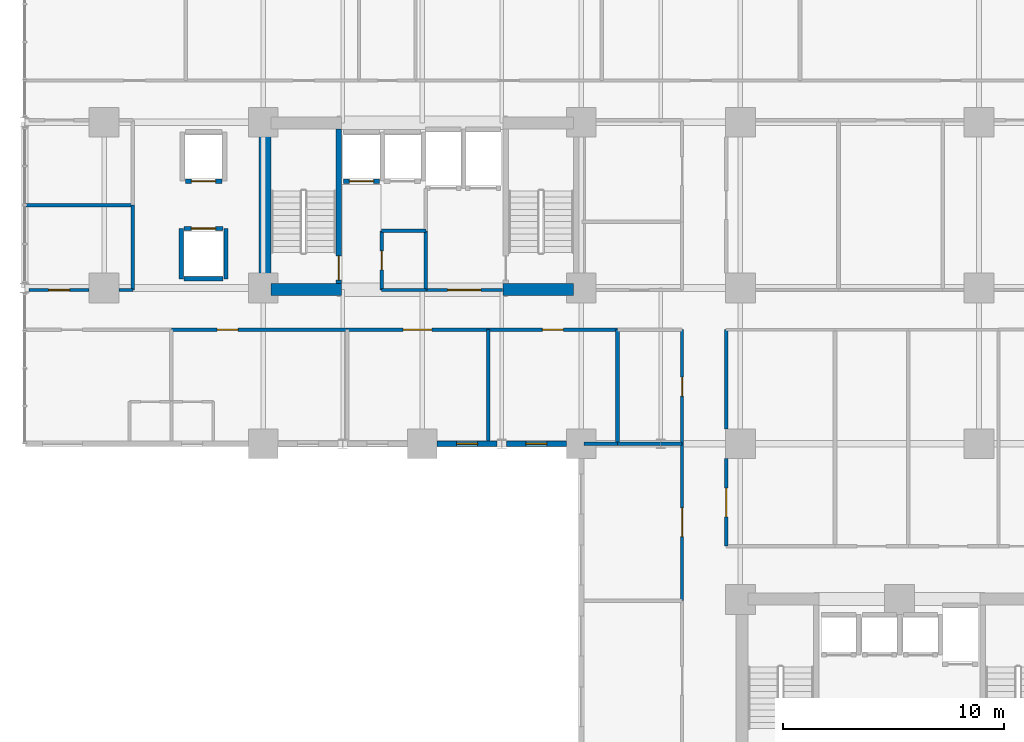
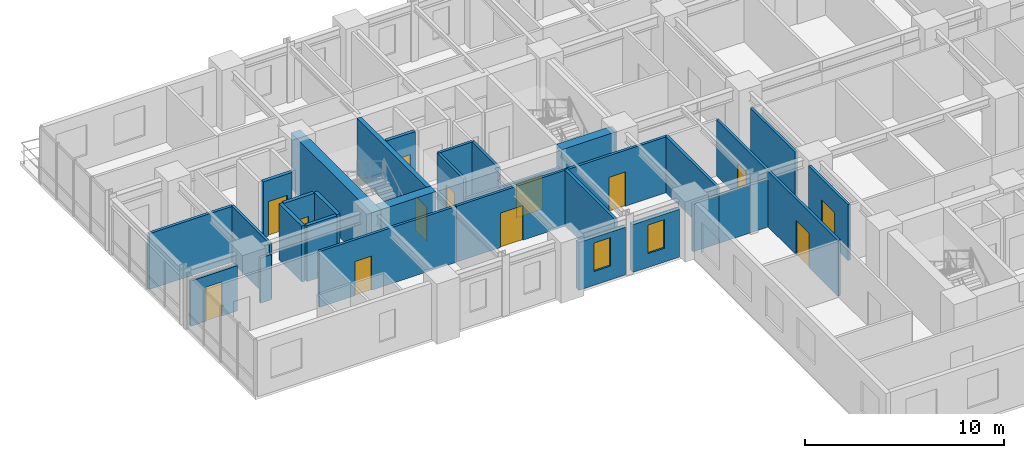
# One storey, part 11 of 19: 32 walls, 13 doors, 2 windows, 15 openings.
"""IFC4 building model written with IfcOpenShell, lengths in metres."""

from ifc_helpers import new_model, si_unit, direction, frame, frame_2d, origin, place, context, subcontext, project, spatial, rectangle, extrude, material, layer, layer_set, type_object, element, fill, save


model = new_model("IFC4")

# Units and contexts
model_context = context("Model", 3, precision=1e-05, world=origin(), true_north=direction((0.0, 1.0)))
body_context = subcontext(model_context, "Body", "Model", "MODEL_VIEW")
ifc_project = project(units=[si_unit("LENGTHUNIT", "METRE"), si_unit("AREAUNIT", "SQUARE_METRE"), si_unit("VOLUMEUNIT", "CUBIC_METRE"), si_unit("PLANEANGLEUNIT", "RADIAN"), si_unit("MASSUNIT", "GRAM", prefix="KILO")], contexts=[model_context])

# Site, building, storey
site_placement = place(None, origin())
site = spatial("IfcSite", under=ifc_project, at=site_placement, CompositionType="ELEMENT")
building_placement = place(site_placement, origin())
building = spatial("IfcBuilding", under=site, at=building_placement, Name="Kaliganga Portal Commons", CompositionType="ELEMENT")
storey_placement = place(building_placement, frame((0.0, 0.0, 32.699951171875)))
storey = spatial("IfcBuildingStorey", under=building, at=storey_placement, Name="L07", CompositionType="ELEMENT", Elevation=32.699951171875)

# Walls
ifc_material_1 = material(Name="Concrete C60/75", Category="concrete")
ifc_layer_1 = layer(ifc_material_1, 0.550048828125)
ifc_layer_set_1 = layer_set([ifc_layer_1], Name="Concrete C60/75")
wall_type_1 = type_object("IfcWallType", Name="WL-CORE-550", PredefinedType="SHEAR", material=ifc_layer_set_1)
wall_1_placement = place(storey_placement, frame((14.47509765625, 28.300048828125, 0.0), z_axis=(0.0, 0.0, 1.0), x_axis=(0.0, 1.0, 0.0)))
element("IfcWall", 1, at=wall_1_placement, inside=storey, type_object=wall_type_1, Name="Core A West Shear Wall L07", PredefinedType="SHEAR", context=body_context, shape_type="SweptSolid", body=[
    extrude(rectangle(XDim=8.099853515625, YDim=0.550048828125, at=frame_2d((4.0498046875, 0.0))), origin(), (0.0, 0.0, 1.0), 3.449951171875),
])
for number, where, z_axis, x_axis, name in (
    (2, (14.75, 28.574951171875, 0.0), (0.0, 0.0, 1.0), (1.0, 0.0, 0.0), "Core A S-West Shear Wall L07"),
    (3, (25.25, 28.574951171875, 0.0), (0.0, 0.0, 1.0), (1.0, 0.0, 0.0), "Core A S-East Shear Wall L07"),
):
    element("IfcWall", number, at=place(storey_placement, frame(where, z_axis=z_axis, x_axis=x_axis)), inside=storey, type_object=wall_type_1, Name=name, PredefinedType="SHEAR", context=body_context, shape_type="SweptSolid", body=[
        extrude(rectangle(XDim=3.199951171875, YDim=0.550048828125, at=frame_2d((1.60009765625, 0.0))), origin(), (0.0, 0.0, 1.0), 3.449951171875),
    ])

# Wall, opening, window
ifc_material_2 = material(Name="Insulated Aluminium-Clad Spandrel Assembly", Category="aluminium")
ifc_layer_2 = layer(ifc_material_2, 0.260009765625)
ifc_layer_set_2 = layer_set([ifc_layer_2], Name="Insulated Aluminium-Clad Spandrel Assembly")
wall_type_2 = type_object("IfcWallType", Name="WL-EXT-SPAND-260", PredefinedType="STANDARD", material=ifc_layer_set_2)
wall_2_placement = place(storey_placement, frame((24.990966796875, 21.60009765625, 0.0), z_axis=(0.0, 0.0, 1.0), x_axis=(-1.0, 0.0, 0.0)))
wall_2 = element("IfcWall", 4, at=wall_2_placement, inside=storey, type_object=wall_type_2, Name="Exterior Envelope Wall L07 P1-E04-S4", PredefinedType="STANDARD", context=body_context, shape_type="SweptSolid", body=[
    extrude(rectangle(XDim=2.715087890625, YDim=0.260009765625, at=frame_2d((1.357421875, 0.0))), origin(), (0.0, 0.0, 1.0), 2.929931640625),
])
opening_1_placement = place(wall_2_placement, frame((0.882568359375, 0.0, 0.85009765625)))
opening_1 = element("IfcOpeningElement", 5, at=opening_1_placement, cuts=wall_2, Name="Opening W-04", PredefinedType="OPENING", context=body_context, shape_type="SweptSolid", body=[
    extrude(rectangle(XDim=0.949951171875, YDim=1.75, at=frame_2d((0.47509765625, 0.875))), frame((0.0, 0.14013671875, 0.0), z_axis=(0.0, -1.0, 0.0), x_axis=(1.0, 0.0, 0.0)), (0.0, 0.0, 1.0), 0.280029296875),
])
ifc_material_3 = material(Name="Thermally Broken Aluminium and Low-E Double Glazing", Category="aluminium")
window_type = type_object("IfcWindowType", Name="WIN-NARROW-950", PartitioningType="SINGLE_PANEL", PredefinedType="WINDOW", material=ifc_material_3)
window_1_placement = place(opening_1_placement, origin())
window_1 = element("IfcWindow", 6, at=window_1_placement, inside=storey, type_object=window_type, Name="Facade Window L07-P1E04S4-00", OverallHeight=1.75, OverallWidth=0.949951171875, PartitioningType="SINGLE_PANEL", PredefinedType="WINDOW", context=body_context, shape_type="SweptSolid", body=[
    extrude(rectangle(XDim=0.949951171875, YDim=1.75, at=frame_2d((0.47509765625, 0.875))), frame((0.0, 0.030029296875, 0.0), z_axis=(0.0, -1.0, 0.0), x_axis=(1.0, 0.0, 0.0)), (0.0, 0.0, 1.0), 0.06005859375),
])
fill(opening_1, window_1)

wall_3_placement = place(storey_placement, frame((28.1240234375, 21.60009765625, 0.0), z_axis=(0.0, 0.0, 1.0), x_axis=(-1.0, 0.0, 0.0)))
wall_3 = element("IfcWall", 7, at=wall_3_placement, inside=storey, type_object=wall_type_2, Name="Exterior Envelope Wall L07 P1-E04-S5", PredefinedType="STANDARD", context=body_context, shape_type="SweptSolid", body=[
    extrude(rectangle(XDim=2.715087890625, YDim=0.260009765625, at=frame_2d((1.357421875, 0.0))), origin(), (0.0, 0.0, 1.0), 2.929931640625),
])
opening_2_placement = place(wall_3_placement, frame((0.882568359375, 0.0, 0.85009765625)))
opening_2 = element("IfcOpeningElement", 8, at=opening_2_placement, cuts=wall_3, Name="Opening W-04", PredefinedType="OPENING", context=body_context, shape_type="SweptSolid", body=[
    extrude(rectangle(XDim=0.949951171875, YDim=1.75, at=frame_2d((0.47509765625, 0.875))), frame((0.0, 0.14013671875, 0.0), z_axis=(0.0, -1.0, 0.0), x_axis=(1.0, 0.0, 0.0)), (0.0, 0.0, 1.0), 0.280029296875),
])
window_2_placement = place(opening_2_placement, origin())
window_2 = element("IfcWindow", 9, at=window_2_placement, inside=storey, type_object=window_type, Name="Facade Window L07-P1E04S5-00", OverallHeight=1.75, OverallWidth=0.949951171875, PartitioningType="SINGLE_PANEL", PredefinedType="WINDOW", context=body_context, shape_type="SweptSolid", body=[
    extrude(rectangle(XDim=0.949951171875, YDim=1.75, at=frame_2d((0.47509765625, 0.875))), frame((0.0, 0.030029296875, 0.0), z_axis=(0.0, -1.0, 0.0), x_axis=(1.0, 0.0, 0.0)), (0.0, 0.0, 1.0), 0.06005859375),
])
fill(opening_2, window_2)

# Wall, opening, door
ifc_material_4 = material(Name="Fire-Rated Gypsum Board on Steel Stud", Category="steel")
ifc_layer_3 = layer(ifc_material_4, 0.14990234375)
ifc_layer_set_3 = layer_set([ifc_layer_3], Name="Fire-Rated Gypsum Board on Steel Stud")
wall_type_3 = type_object("IfcWallType", Name="WL-PART-CORR-150", PredefinedType="PARTITIONING", material=ifc_layer_set_3)
wall_4_placement = place(storey_placement, frame((35.360107421875, 16.9599609375, 0.0), z_axis=(0.0, 0.0, 1.0), x_axis=(0.0, 1.0, 0.0)))
wall_4 = element("IfcWall", 10, at=wall_4_placement, inside=storey, type_object=wall_type_3, Name="Interior Partition L07-008", PredefinedType="PARTITIONING", context=body_context, shape_type="SweptSolid", body=[
    extrude(rectangle(XDim=3.965087890625, YDim=0.14990234375, at=frame_2d((1.982421875, 0.0))), origin(), (0.0, 0.0, 1.0), 3.429931640625),
])
opening_3_placement = place(wall_4_placement, frame((1.33251953125, 0.0, 0.0)))
opening_3 = element("IfcOpeningElement", 11, at=opening_3_placement, cuts=wall_4, Name="Opening RD-03", PredefinedType="OPENING", context=body_context, shape_type="SweptSolid", body=[
    extrude(rectangle(XDim=1.300048828125, YDim=2.1201171875, at=frame_2d((0.64990234375, 1.06005859375))), frame((0.0, 0.0849609375, 0.0), z_axis=(0.0, -1.0, 0.0), x_axis=(1.0, 0.0, 0.0)), (0.0, 0.0, 1.0), 0.169921875),
])
ifc_material_5 = material(Name="Glazed Timber Seminar Vision Door", Category="wood")
door_type_1 = type_object("IfcDoorType", Name="DR-STUDY-1300", OperationType="DOUBLE_DOOR_SINGLE_SWING", PredefinedType="DOOR", material=ifc_material_5)
door_1_placement = place(opening_3_placement, origin())
door_1 = element("IfcDoor", 12, at=door_1_placement, inside=storey, type_object=door_type_1, Name="Interior Door L07-BM01", OperationType="DOUBLE_DOOR_SINGLE_SWING", OverallHeight=2.1201171875, OverallWidth=1.300048828125, PredefinedType="DOOR", context=body_context, shape_type="SweptSolid", body=[
    extrude(rectangle(XDim=1.300048828125, YDim=2.1201171875, at=frame_2d((0.64990234375, 1.06005859375))), frame((0.0, 0.02490234375, 0.0), z_axis=(0.0, -1.0, 0.0), x_axis=(1.0, 0.0, 0.0)), (0.0, 0.0, 1.0), 0.050048828125),
])
fill(opening_3, door_1)

# Wall
wall_5_placement = place(storey_placement, frame((35.360107421875, 22.27490234375, 0.0), z_axis=(0.0, 0.0, 1.0), x_axis=(0.0, 1.0, 0.0)))
element("IfcWall", 13, at=wall_5_placement, inside=storey, type_object=wall_type_3, Name="Interior Partition L07-009", PredefinedType="PARTITIONING", context=body_context, shape_type="SweptSolid", body=[
    extrude(rectangle(XDim=4.485107421875, YDim=0.14990234375, at=frame_2d((2.24267578125, 0.0))), origin(), (0.0, 0.0, 1.0), 3.429931640625),
])

# Wall, opening, door
wall_6_placement = place(storey_placement, frame((10.239990234375, 26.760009765625, 0.0), z_axis=(0.0, 0.0, 1.0), x_axis=(1.0, 0.0, 0.0)))
wall_6 = element("IfcWall", 14, at=wall_6_placement, inside=storey, type_object=wall_type_3, Name="Interior Partition L07-016", PredefinedType="PARTITIONING", context=body_context, shape_type="SweptSolid", body=[
    extrude(rectangle(XDim=7.9599609375, YDim=0.14990234375, at=frame_2d((3.97998046875, 0.0))), origin(), (0.0, 0.0, 1.0), 3.429931640625),
])
opening_4_placement = place(wall_6_placement, frame((2.072265625, 0.0, 0.0)))
opening_4 = element("IfcOpeningElement", 15, at=opening_4_placement, cuts=wall_6, Name="Opening UD-01", PredefinedType="OPENING", context=body_context, shape_type="SweptSolid", body=[
    extrude(rectangle(XDim=0.949951171875, YDim=2.10009765625, at=frame_2d((0.47509765625, 1.050048828125))), frame((0.0, 0.0849609375, 0.0), z_axis=(0.0, -1.0, 0.0), x_axis=(1.0, 0.0, 0.0)), (0.0, 0.0, 1.0), 0.169921875),
])
ifc_material_6 = material(Name="Solid-Core Timber Acoustic Fire Door", Category="wood")
door_type_2 = type_object("IfcDoorType", Name="DR-UNIT-950", OperationType="NOTDEFINED", PredefinedType="DOOR", material=ifc_material_6)
door_2_placement = place(opening_4_placement, origin())
door_2 = element("IfcDoor", 16, at=door_2_placement, inside=storey, type_object=door_type_2, Name="Interior Door L07-AS02", OperationType="SINGLE_SWING_LEFT", OverallHeight=2.10009765625, OverallWidth=0.949951171875, PredefinedType="DOOR", context=body_context, shape_type="SweptSolid", body=[
    extrude(rectangle(XDim=0.949951171875, YDim=2.10009765625, at=frame_2d((0.47509765625, 1.050048828125))), frame((0.0, 0.02490234375, 0.0), z_axis=(0.0, -1.0, 0.0), x_axis=(1.0, 0.0, 0.0)), (0.0, 0.0, 1.0), 0.050048828125),
])
fill(opening_4, door_2)

wall_7_placement = place(storey_placement, frame((33.360107421875, 14.5, 0.0), z_axis=(0.0, 0.0, 1.0), x_axis=(0.0, 1.0, 0.0)))
wall_7 = element("IfcWall", 17, at=wall_7_placement, inside=storey, type_object=wall_type_3, Name="Interior Partition L07-021", PredefinedType="PARTITIONING", context=body_context, shape_type="SweptSolid", body=[
    extrude(rectangle(XDim=7.10009765625, YDim=0.14990234375, at=frame_2d((3.550048828125, 0.0))), origin(), (0.0, 0.0, 1.0), 3.429931640625),
])
opening_5_placement = place(wall_7_placement, frame((2.89990234375, 0.0, 0.0)))
opening_5 = element("IfcOpeningElement", 18, at=opening_5_placement, cuts=wall_7, Name="Opening RD-03", PredefinedType="OPENING", context=body_context, shape_type="SweptSolid", body=[
    extrude(rectangle(XDim=1.300048828125, YDim=2.1201171875, at=frame_2d((0.64990234375, 1.06005859375))), frame((0.0, 0.0849609375, 0.0), z_axis=(0.0, -1.0, 0.0), x_axis=(1.0, 0.0, 0.0)), (0.0, 0.0, 1.0), 0.169921875),
])
door_3_placement = place(opening_5_placement, origin())
door_3 = element("IfcDoor", 19, at=door_3_placement, inside=storey, type_object=door_type_1, Name="Interior Door L07-KW02", OperationType="DOUBLE_DOOR_SINGLE_SWING", OverallHeight=2.1201171875, OverallWidth=1.300048828125, PredefinedType="DOOR", context=body_context, shape_type="SweptSolid", body=[
    extrude(rectangle(XDim=1.300048828125, YDim=2.1201171875, at=frame_2d((0.64990234375, 1.06005859375))), frame((0.0, 0.02490234375, 0.0), z_axis=(0.0, -1.0, 0.0), x_axis=(1.0, 0.0, 0.0)), (0.0, 0.0, 1.0), 0.050048828125),
])
fill(opening_5, door_3)

wall_8_placement = place(storey_placement, frame((18.199951171875, 26.760009765625, 0.0), z_axis=(0.0, 0.0, 1.0), x_axis=(1.0, 0.0, 0.0)))
wall_8 = element("IfcWall", 20, at=wall_8_placement, inside=storey, type_object=wall_type_3, Name="Interior Partition L07-027", PredefinedType="PARTITIONING", context=body_context, shape_type="SweptSolid", body=[
    extrude(rectangle(XDim=6.380126953125, YDim=0.14990234375, at=frame_2d((3.18994140625, 0.0))), origin(), (0.0, 0.0, 1.0), 3.429931640625),
])
opening_6_placement = place(wall_8_placement, frame((2.5400390625, 0.0, 0.0)))
opening_6 = element("IfcOpeningElement", 21, at=opening_6_placement, cuts=wall_8, Name="Opening RD-03", PredefinedType="OPENING", context=body_context, shape_type="SweptSolid", body=[
    extrude(rectangle(XDim=1.300048828125, YDim=2.1201171875, at=frame_2d((0.64990234375, 1.06005859375))), frame((0.0, 0.0849609375, 0.0), z_axis=(0.0, -1.0, 0.0), x_axis=(1.0, 0.0, 0.0)), (0.0, 0.0, 1.0), 0.169921875),
])
door_4_placement = place(opening_6_placement, origin())
door_4 = element("IfcDoor", 22, at=door_4_placement, inside=storey, type_object=door_type_1, Name="Interior Door L07-AS03", OperationType="DOUBLE_DOOR_SINGLE_SWING", OverallHeight=2.1201171875, OverallWidth=1.300048828125, PredefinedType="DOOR", context=body_context, shape_type="SweptSolid", body=[
    extrude(rectangle(XDim=1.300048828125, YDim=2.1201171875, at=frame_2d((0.64990234375, 1.06005859375))), frame((0.0, 0.02490234375, 0.0), z_axis=(0.0, -1.0, 0.0), x_axis=(1.0, 0.0, 0.0)), (0.0, 0.0, 1.0), 0.050048828125),
])
fill(opening_6, door_4)

wall_9_placement = place(storey_placement, frame((24.580078125, 26.760009765625, 0.0), z_axis=(0.0, 0.0, 1.0), x_axis=(1.0, 0.0, 0.0)))
wall_9 = element("IfcWall", 23, at=wall_9_placement, inside=storey, type_object=wall_type_3, Name="Interior Partition L07-028", PredefinedType="PARTITIONING", context=body_context, shape_type="SweptSolid", body=[
    extrude(rectangle(XDim=5.85986328125, YDim=0.14990234375, at=frame_2d((2.929931640625, 0.0))), origin(), (0.0, 0.0, 1.0), 3.429931640625),
])
opening_7_placement = place(wall_9_placement, frame((2.455078125, 0.0, 0.0)))
opening_7 = element("IfcOpeningElement", 24, at=opening_7_placement, cuts=wall_9, Name="Opening UD-01", PredefinedType="OPENING", context=body_context, shape_type="SweptSolid", body=[
    extrude(rectangle(XDim=0.949951171875, YDim=2.10009765625, at=frame_2d((0.47509765625, 1.050048828125))), frame((0.0, 0.0849609375, 0.0), z_axis=(0.0, -1.0, 0.0), x_axis=(1.0, 0.0, 0.0)), (0.0, 0.0, 1.0), 0.169921875),
])
door_5_placement = place(opening_7_placement, origin())
door_5 = element("IfcDoor", 25, at=door_5_placement, inside=storey, type_object=door_type_2, Name="Interior Door L07-AS04", OperationType="SINGLE_SWING_RIGHT", OverallHeight=2.10009765625, OverallWidth=0.949951171875, PredefinedType="DOOR", context=body_context, shape_type="SweptSolid", body=[
    extrude(rectangle(XDim=0.949951171875, YDim=2.10009765625, at=frame_2d((0.47509765625, 1.050048828125))), frame((0.0, 0.02490234375, 0.0), z_axis=(0.0, -1.0, 0.0), x_axis=(1.0, 0.0, 0.0)), (0.0, 0.0, 1.0), 0.050048828125),
])
fill(opening_7, door_5)

wall_10_placement = place(storey_placement, frame((33.360107421875, 21.60009765625, 0.0), z_axis=(0.0, 0.0, 1.0), x_axis=(0.0, 1.0, 0.0)))
wall_10 = element("IfcWall", 26, at=wall_10_placement, inside=storey, type_object=wall_type_3, Name="Interior Partition L07-030", PredefinedType="PARTITIONING", context=body_context, shape_type="SweptSolid", body=[
    extrude(rectangle(XDim=5.159912109375, YDim=0.14990234375, at=frame_2d((2.580078125, 0.0))), origin(), (0.0, 0.0, 1.0), 3.429931640625),
])
opening_8_placement = place(wall_10_placement, frame((2.14990234375, 0.0, 0.0)))
opening_8 = element("IfcOpeningElement", 27, at=opening_8_placement, cuts=wall_10, Name="Opening WD-02", PredefinedType="OPENING", context=body_context, shape_type="SweptSolid", body=[
    extrude(rectangle(XDim=0.860107421875, YDim=2.02001953125, at=frame_2d((0.43017578125, 1.010009765625))), frame((0.0, 0.0849609375, 0.0), z_axis=(0.0, -1.0, 0.0), x_axis=(1.0, 0.0, 0.0)), (0.0, 0.0, 1.0), 0.169921875),
])
ifc_material_7 = material(Name="Fire-Rated Utility Closet Door", Category="wood")
door_type_3 = type_object("IfcDoorType", Name="DR-STORE-800", OperationType="NOTDEFINED", PredefinedType="DOOR", material=ifc_material_7)
door_6_placement = place(opening_8_placement, origin())
door_6 = element("IfcDoor", 28, at=door_6_placement, inside=storey, type_object=door_type_3, Name="Interior Door L07-AS05", OperationType="SINGLE_SWING_RIGHT", OverallHeight=2.02001953125, OverallWidth=0.860107421875, PredefinedType="DOOR", context=body_context, shape_type="SweptSolid", body=[
    extrude(rectangle(XDim=0.860107421875, YDim=2.02001953125, at=frame_2d((0.43017578125, 1.010009765625))), frame((0.0, 0.02490234375, 0.0), z_axis=(0.0, -1.0, 0.0), x_axis=(1.0, 0.0, 0.0)), (0.0, 0.0, 1.0), 0.050048828125),
])
fill(opening_8, door_6)

wall_11_placement = place(storey_placement, frame((3.80810546875, 28.56005859375, 0.0), z_axis=(0.0, 0.0, 1.0), x_axis=(1.0, 0.0, 0.0)))
wall_11 = element("IfcWall", 29, at=wall_11_placement, inside=storey, type_object=wall_type_3, Name="Interior Partition L07-033", PredefinedType="PARTITIONING", context=body_context, shape_type="SweptSolid", body=[
    extrude(rectangle(XDim=2.716796875, YDim=0.14990234375, at=frame_2d((1.3583984375, 0.0))), origin(), (0.0, 0.0, 1.0), 2.780029296875),
])
opening_9_placement = place(wall_11_placement, frame((0.883544921875, 0.0, 0.0)))
opening_9 = element("IfcOpeningElement", 30, at=opening_9_placement, cuts=wall_11, Name="Opening UD-01", PredefinedType="OPENING", context=body_context, shape_type="SweptSolid", body=[
    extrude(rectangle(XDim=0.949951171875, YDim=2.10009765625, at=frame_2d((0.47509765625, 1.050048828125))), frame((0.0, 0.0849609375, 0.0), z_axis=(0.0, -1.0, 0.0), x_axis=(1.0, 0.0, 0.0)), (0.0, 0.0, 1.0), 0.169921875),
])
door_7_placement = place(opening_9_placement, origin())
door_7 = element("IfcDoor", 31, at=door_7_placement, inside=storey, type_object=door_type_2, Name="Interior Door L07-AW01", OperationType="SINGLE_SWING_LEFT", OverallHeight=2.10009765625, OverallWidth=0.949951171875, PredefinedType="DOOR", context=body_context, shape_type="SweptSolid", body=[
    extrude(rectangle(XDim=0.949951171875, YDim=2.10009765625, at=frame_2d((0.47509765625, 1.050048828125))), frame((0.0, 0.02490234375, 0.0), z_axis=(0.0, -1.0, 0.0), x_axis=(1.0, 0.0, 0.0)), (0.0, 0.0, 1.0), 0.050048828125),
])
fill(opening_9, door_7)

# Walls
wall_12_placement = place(storey_placement, frame((7.875, 28.56005859375, 0.0), z_axis=(0.0, 0.0, 1.0), x_axis=(1.0, 0.0, 0.0)))
element("IfcWall", 32, at=wall_12_placement, inside=storey, type_object=wall_type_3, Name="Interior Partition L07-034", PredefinedType="PARTITIONING", context=body_context, shape_type="SweptSolid", body=[
    extrude(rectangle(XDim=0.625, YDim=0.14990234375, at=frame_2d((0.3125, 0.0))), origin(), (0.0, 0.0, 1.0), 2.780029296875),
])
wall_13_placement = place(storey_placement, frame((8.5, 28.56005859375, 0.0), z_axis=(0.0, 0.0, 1.0), x_axis=(0.0, 1.0, 0.0)))
element("IfcWall", 33, at=wall_13_placement, inside=storey, type_object=wall_type_3, Name="Interior Partition L07-046", PredefinedType="PARTITIONING", context=body_context, shape_type="SweptSolid", body=[
    extrude(rectangle(XDim=3.83984375, YDim=0.14990234375, at=frame_2d((1.919921875, 0.0))), origin(), (0.0, 0.0, 1.0), 3.429931640625),
])

# Wall, opening, door
wall_14_placement = place(storey_placement, frame((19.760009765625, 28.56005859375, 0.0), z_axis=(0.0, 0.0, 1.0), x_axis=(0.0, 1.0, 0.0)))
wall_14 = element("IfcWall", 34, at=wall_14_placement, inside=storey, type_object=wall_type_3, Name="Interior Partition L07-051", PredefinedType="PARTITIONING", context=body_context, shape_type="SweptSolid", body=[
    extrude(rectangle(XDim=2.679931640625, YDim=0.14990234375, at=frame_2d((1.33984375, 0.0))), origin(), (0.0, 0.0, 1.0), 3.429931640625),
])
opening_10_placement = place(wall_14_placement, frame((0.909912109375, 0.0, 0.0)))
opening_10 = element("IfcOpeningElement", 35, at=opening_10_placement, cuts=wall_14, Name="Opening WD-02", PredefinedType="OPENING", context=body_context, shape_type="SweptSolid", body=[
    extrude(rectangle(XDim=0.860107421875, YDim=2.02001953125, at=frame_2d((0.43017578125, 1.010009765625))), frame((0.0, 0.0849609375, 0.0), z_axis=(0.0, -1.0, 0.0), x_axis=(1.0, 0.0, 0.0)), (0.0, 0.0, 1.0), 0.169921875),
])
door_8_placement = place(opening_10_placement, origin())
door_8 = element("IfcDoor", 36, at=door_8_placement, inside=storey, type_object=door_type_3, Name="Interior Door L07-CIN_A1", OperationType="SINGLE_SWING_LEFT", OverallHeight=2.02001953125, OverallWidth=0.860107421875, PredefinedType="DOOR", context=body_context, shape_type="SweptSolid", body=[
    extrude(rectangle(XDim=0.860107421875, YDim=2.02001953125, at=frame_2d((0.43017578125, 1.010009765625))), frame((0.0, 0.02490234375, 0.0), z_axis=(0.0, -1.0, 0.0), x_axis=(1.0, 0.0, 0.0)), (0.0, 0.0, 1.0), 0.050048828125),
])
fill(opening_10, door_8)

# Walls
wall_15_placement = place(storey_placement, frame((21.760009765625, 28.56005859375, 0.0), z_axis=(0.0, 0.0, 1.0), x_axis=(0.0, 1.0, 0.0)))
element("IfcWall", 37, at=wall_15_placement, inside=storey, type_object=wall_type_3, Name="Interior Partition L07-052", PredefinedType="PARTITIONING", context=body_context, shape_type="SweptSolid", body=[
    extrude(rectangle(XDim=2.679931640625, YDim=0.14990234375, at=frame_2d((1.33984375, 0.0))), origin(), (0.0, 0.0, 1.0), 3.429931640625),
])
wall_16_placement = place(storey_placement, frame((19.760009765625, 28.56005859375, 0.0), z_axis=(0.0, 0.0, 1.0), x_axis=(1.0, 0.0, 0.0)))
element("IfcWall", 38, at=wall_16_placement, inside=storey, type_object=wall_type_3, Name="Interior Partition L07-054", PredefinedType="PARTITIONING", context=body_context, shape_type="SweptSolid", body=[
    extrude(rectangle(XDim=2.0, YDim=0.14990234375, at=frame_2d((1.0, 0.0))), origin(), (0.0, 0.0, 1.0), 2.22998046875),
])
wall_17_placement = place(storey_placement, frame((19.760009765625, 31.239990234375, 0.0), z_axis=(0.0, 0.0, 1.0), x_axis=(1.0, 0.0, 0.0)))
element("IfcWall", 39, at=wall_17_placement, inside=storey, type_object=wall_type_3, Name="Interior Partition L07-055", PredefinedType="PARTITIONING", context=body_context, shape_type="SweptSolid", body=[
    extrude(rectangle(XDim=2.0, YDim=0.14990234375, at=frame_2d((1.0, 0.0))), origin(), (0.0, 0.0, 1.0), 3.429931640625),
])

# Wall, opening, door
wall_18_placement = place(storey_placement, frame((21.760009765625, 28.56005859375, 0.0), z_axis=(0.0, 0.0, 1.0), x_axis=(1.0, 0.0, 0.0)))
wall_18 = element("IfcWall", 40, at=wall_18_placement, inside=storey, type_object=wall_type_3, Name="Interior Partition L07-087", PredefinedType="PARTITIONING", context=body_context, shape_type="SweptSolid", body=[
    extrude(rectangle(XDim=3.47998046875, YDim=0.14990234375, at=frame_2d((1.739990234375, 0.0))), origin(), (0.0, 0.0, 1.0), 2.22998046875),
])
opening_11_placement = place(wall_18_placement, frame((0.989990234375, 0.0, 0.0)))
opening_11 = element("IfcOpeningElement", 41, at=opening_11_placement, cuts=wall_18, Name="Opening FD-01", PredefinedType="OPENING", context=body_context, shape_type="SweptSolid", body=[
    extrude(rectangle(XDim=1.5, YDim=2.10009765625, at=frame_2d((0.75, 1.050048828125))), frame((0.0, 0.0849609375, 0.0), z_axis=(0.0, -1.0, 0.0), x_axis=(1.0, 0.0, 0.0)), (0.0, 0.0, 1.0), 0.169921875),
])
ifc_material_8 = material(Name="Fire-Rated Hardwood and Georgian-Wired Vision Panel", Category="wood")
door_type_4 = type_object("IfcDoorType", Name="DR-LOBBY-1500", OperationType="DOUBLE_DOOR_SINGLE_SWING", PredefinedType="DOOR", material=ifc_material_8)
door_9_placement = place(opening_11_placement, origin())
door_9 = element("IfcDoor", 42, at=door_9_placement, inside=storey, type_object=door_type_4, Name="Interior Door L07-FFLOB_A", OperationType="DOUBLE_DOOR_SINGLE_SWING", OverallHeight=2.10009765625, OverallWidth=1.5, PredefinedType="DOOR", context=body_context, shape_type="SweptSolid", body=[
    extrude(rectangle(XDim=1.5, YDim=2.10009765625, at=frame_2d((0.75, 1.050048828125))), frame((0.0, 0.02490234375, 0.0), z_axis=(0.0, -1.0, 0.0), x_axis=(1.0, 0.0, 0.0)), (0.0, 0.0, 1.0), 0.050048828125),
])
fill(opening_11, door_9)

# Walls
ifc_material_9 = material(Name="Twin-Stud Acoustic Gypsum Partition", Category="gypsum")
ifc_layer_4 = layer(ifc_material_9, 0.1650390625)
ifc_layer_set_4 = layer_set([ifc_layer_4], Name="Twin-Stud Acoustic Gypsum Partition")
wall_type_4 = type_object("IfcWallType", Name="WL-PART-UNIT-165", PredefinedType="PARTITIONING", material=ifc_layer_set_4)
wall_19_placement = place(storey_placement, frame((24.580078125, 21.73193359375, 0.0), z_axis=(0.0, 0.0, 1.0), x_axis=(0.0, 1.0, 0.0)))
element("IfcWall", 43, at=wall_19_placement, inside=storey, type_object=wall_type_4, Name="Interior Partition L07-076", PredefinedType="PARTITIONING", context=body_context, shape_type="SweptSolid", body=[
    extrude(rectangle(XDim=5.028076171875, YDim=0.1650390625, at=frame_2d((2.51416015625, 0.0))), origin(), (0.0, 0.0, 1.0), 3.429931640625),
])
wall_20_placement = place(storey_placement, frame((30.43994140625, 21.60009765625, 0.0), z_axis=(0.0, 0.0, 1.0), x_axis=(0.0, 1.0, 0.0)))
element("IfcWall", 44, at=wall_20_placement, inside=storey, type_object=wall_type_4, Name="Interior Partition L07-077", PredefinedType="PARTITIONING", context=body_context, shape_type="SweptSolid", body=[
    extrude(rectangle(XDim=5.159912109375, YDim=0.1650390625, at=frame_2d((2.580078125, 0.0))), origin(), (0.0, 0.0, 1.0), 3.429931640625),
])
wall_21_placement = place(storey_placement, frame((3.6201171875, 32.39990234375, 0.0), z_axis=(0.0, 0.0, 1.0), x_axis=(1.0, 0.0, 0.0)))
element("IfcWall", 45, at=wall_21_placement, inside=storey, type_object=wall_type_4, Name="Interior Partition L07-080", PredefinedType="PARTITIONING", context=body_context, shape_type="SweptSolid", body=[
    extrude(rectangle(XDim=4.8798828125, YDim=0.1650390625, at=frame_2d((2.43994140625, 0.0))), origin(), (0.0, 0.0, 1.0), 3.429931640625),
])
wall_22_placement = place(storey_placement, frame((30.43994140625, 21.60009765625, 0.0), z_axis=(0.0, 0.0, 1.0), x_axis=(1.0, 0.0, 0.0)))
element("IfcWall", 46, at=wall_22_placement, inside=storey, type_object=wall_type_4, Name="Interior Partition L07-092", PredefinedType="PARTITIONING", context=body_context, shape_type="SweptSolid", body=[
    extrude(rectangle(XDim=2.920166015625, YDim=0.1650390625, at=frame_2d((1.4599609375, 0.0))), origin(), (0.0, 0.0, 1.0), 2.929931640625),
])
wall_23_placement = place(storey_placement, frame((28.931884765625, 21.60009765625, 0.0), z_axis=(0.0, 0.0, 1.0), x_axis=(1.0, 0.0, 0.0)))
element("IfcWall", 47, at=wall_23_placement, inside=storey, type_object=wall_type_4, Name="Interior Partition L07-096", PredefinedType="PARTITIONING", context=body_context, shape_type="SweptSolid", body=[
    extrude(rectangle(XDim=1.508056640625, YDim=0.1650390625, at=frame_2d((0.75390625, 0.0))), origin(), (0.0, 0.0, 1.0), 2.929931640625),
])

# Wall, opening, door
ifc_material_10 = material(Name="Fire-Rated Shaftwall Masonry Assembly", Category="masonry")
ifc_layer_5 = layer(ifc_material_10, 0.199951171875)
ifc_layer_set_5 = layer_set([ifc_layer_5], Name="Fire-Rated Shaftwall Masonry Assembly")
wall_type_5 = type_object("IfcWallType", Name="WL-SHAFT-200", PredefinedType="PARTITIONING", material=ifc_layer_set_5)
wall_24_placement = place(storey_placement, frame((18.02490234375, 33.485107421875, 0.0), z_axis=(0.0, 0.0, 1.0), x_axis=(1.0, 0.0, 0.0)))
wall_24 = element("IfcWall", 48, at=wall_24_placement, inside=storey, type_object=wall_type_5, Name="Lift PL-A1 Hoistway Shaft Wall L07-S", PredefinedType="PARTITIONING", context=body_context, shape_type="SweptSolid", body=[
    extrude(rectangle(XDim=1.650146484375, YDim=0.199951171875, at=frame_2d((0.8251953125, 0.0))), origin(), (0.0, 0.0, 1.0), 3.429931640625),
])
opening_12_placement = place(wall_24_placement, frame((0.27490234375, 0.0, 0.0)))
opening_12 = element("IfcOpeningElement", 49, at=opening_12_placement, cuts=wall_24, Name="Opening LD-01", PredefinedType="OPENING", context=body_context, shape_type="SweptSolid", body=[
    extrude(rectangle(XDim=1.10009765625, YDim=2.1201171875, at=frame_2d((0.550048828125, 1.06005859375))), frame((0.0, 0.10986328125, 0.0), z_axis=(0.0, -1.0, 0.0), x_axis=(1.0, 0.0, 0.0)), (0.0, 0.0, 1.0), 0.219970703125),
])
ifc_material_11 = material(Name="Brushed Stainless Steel 316 Lift Landing Door", Category="steel")
door_type_5 = type_object("IfcDoorType", Name="DR-LIFT-1100", OperationType="SLIDING_TO_LEFT", PredefinedType="DOOR", material=ifc_material_11)
door_10_placement = place(opening_12_placement, origin())
door_10 = element("IfcDoor", 50, at=door_10_placement, inside=storey, type_object=door_type_5, Name="Lift PL-A1 Sliding Landing Door L07", OperationType="SLIDING_TO_LEFT", OverallHeight=2.1201171875, OverallWidth=1.10009765625, PredefinedType="DOOR", context=body_context, shape_type="SweptSolid", body=[
    extrude(rectangle(XDim=1.10009765625, YDim=2.1201171875, at=frame_2d((0.550048828125, 1.06005859375))), frame((0.0, 0.02490234375, 0.0), z_axis=(0.0, -1.0, 0.0), x_axis=(1.0, 0.0, 0.0)), (0.0, 0.0, 1.0), 0.050048828125),
])
fill(opening_12, door_10)

# Wall
wall_25_placement = place(storey_placement, frame((10.824951171875, 29.06005859375, 0.0), z_axis=(0.0, 0.0, 1.0), x_axis=(1.0, 0.0, 0.0)))
element("IfcWall", 51, at=wall_25_placement, inside=storey, type_object=wall_type_5, Name="Lift SH-1 Hoistway Shaft Wall L07-S", PredefinedType="PARTITIONING", context=body_context, shape_type="SweptSolid", body=[
    extrude(rectangle(XDim=1.75, YDim=0.199951171875, at=frame_2d((0.875, 0.0))), origin(), (0.0, 0.0, 1.0), 3.429931640625),
])

# Wall, opening, door
wall_26_placement = place(storey_placement, frame((10.824951171875, 31.340087890625, 0.0), z_axis=(0.0, 0.0, 1.0), x_axis=(1.0, 0.0, 0.0)))
wall_26 = element("IfcWall", 52, at=wall_26_placement, inside=storey, type_object=wall_type_5, Name="Lift SH-1 Hoistway Shaft Wall L07-N", PredefinedType="PARTITIONING", context=body_context, shape_type="SweptSolid", body=[
    extrude(rectangle(XDim=1.75, YDim=0.199951171875, at=frame_2d((0.875, 0.0))), origin(), (0.0, 0.0, 1.0), 3.429931640625),
])
opening_13_placement = place(wall_26_placement, frame((0.324951171875, 0.0, 0.0)))
opening_13 = element("IfcOpeningElement", 53, at=opening_13_placement, cuts=wall_26, Name="Opening LD-01", PredefinedType="OPENING", context=body_context, shape_type="SweptSolid", body=[
    extrude(rectangle(XDim=1.10009765625, YDim=2.1201171875, at=frame_2d((0.550048828125, 1.06005859375))), frame((0.0, 0.10986328125, 0.0), z_axis=(0.0, -1.0, 0.0), x_axis=(1.0, 0.0, 0.0)), (0.0, 0.0, 1.0), 0.219970703125),
])
door_11_placement = place(opening_13_placement, origin())
door_11 = element("IfcDoor", 54, at=door_11_placement, inside=storey, type_object=door_type_5, Name="Lift SH-1 Sliding Landing Door L07", OperationType="SLIDING_TO_LEFT", OverallHeight=2.1201171875, OverallWidth=1.10009765625, PredefinedType="DOOR", context=body_context, shape_type="SweptSolid", body=[
    extrude(rectangle(XDim=1.10009765625, YDim=2.1201171875, at=frame_2d((0.550048828125, 1.06005859375))), frame((0.0, 0.02490234375, 0.0), z_axis=(0.0, -1.0, 0.0), x_axis=(1.0, 0.0, 0.0)), (0.0, 0.0, 1.0), 0.050048828125),
])
fill(opening_13, door_11)

# Walls
for number, where, z_axis, x_axis, name in (
    (55, (10.68505859375, 29.06005859375, 0.0), (0.0, 0.0, 1.0), (0.0, 1.0, 0.0), "Lift SH-1 Hoistway Shaft Wall L07-W"),
    (56, (12.715087890625, 29.06005859375, 0.0), (0.0, 0.0, 1.0), (0.0, 1.0, 0.0), "Lift SH-1 Hoistway Shaft Wall L07-E"),
):
    element("IfcWall", number, at=place(storey_placement, frame(where, z_axis=z_axis, x_axis=x_axis)), inside=storey, type_object=wall_type_5, Name=name, PredefinedType="PARTITIONING", context=body_context, shape_type="SweptSolid", body=[
        extrude(rectangle(XDim=2.280029296875, YDim=0.199951171875, at=frame_2d((1.14013671875, 0.0))), origin(), (0.0, 0.0, 1.0), 3.429931640625),
    ])

# Wall, opening, door
wall_27_placement = place(storey_placement, frame((10.875, 33.485107421875, 0.0), z_axis=(0.0, 0.0, 1.0), x_axis=(1.0, 0.0, 0.0)))
wall_27 = element("IfcWall", 57, at=wall_27_placement, inside=storey, type_object=wall_type_5, Name="Lift PL-OBS Hoistway Shaft Wall L07-S", PredefinedType="PARTITIONING", context=body_context, shape_type="SweptSolid", body=[
    extrude(rectangle(XDim=1.64990234375, YDim=0.199951171875, at=frame_2d((0.824951171875, 0.0))), origin(), (0.0, 0.0, 1.0), 3.429931640625),
])
opening_14_placement = place(wall_27_placement, frame((0.27490234375, 0.0, 0.0)))
opening_14 = element("IfcOpeningElement", 58, at=opening_14_placement, cuts=wall_27, Name="Opening LD-01", PredefinedType="OPENING", context=body_context, shape_type="SweptSolid", body=[
    extrude(rectangle(XDim=1.10009765625, YDim=2.1201171875, at=frame_2d((0.550048828125, 1.06005859375))), frame((0.0, 0.10986328125, 0.0), z_axis=(0.0, -1.0, 0.0), x_axis=(1.0, 0.0, 0.0)), (0.0, 0.0, 1.0), 0.219970703125),
])
door_12_placement = place(opening_14_placement, origin())
door_12 = element("IfcDoor", 59, at=door_12_placement, inside=storey, type_object=door_type_5, Name="Lift PL-OBS Sliding Landing Door L07", OperationType="SLIDING_TO_LEFT", OverallHeight=2.1201171875, OverallWidth=1.10009765625, PredefinedType="DOOR", context=body_context, shape_type="SweptSolid", body=[
    extrude(rectangle(XDim=1.10009765625, YDim=2.1201171875, at=frame_2d((0.550048828125, 1.06005859375))), frame((0.0, 0.02490234375, 0.0), z_axis=(0.0, -1.0, 0.0), x_axis=(1.0, 0.0, 0.0)), (0.0, 0.0, 1.0), 0.050048828125),
])
fill(opening_14, door_12)

ifc_material_12 = material(Name="Concrete C50/60", Category="concrete")
ifc_layer_6 = layer(ifc_material_12, 0.25)
ifc_layer_set_6 = layer_set([ifc_layer_6], Name="Concrete C50/60")
wall_type_6 = type_object("IfcWallType", Name="WL-STAIR-250", PredefinedType="SHEAR", material=ifc_layer_set_6)
wall_28_placement = place(storey_placement, frame((17.824951171875, 28.85009765625, 0.0), z_axis=(0.0, 0.0, 1.0), x_axis=(0.0, 1.0, 0.0)))
wall_28 = element("IfcWall", 60, at=wall_28_placement, inside=storey, type_object=wall_type_6, Name="Stair A1 Enclosure Shear Wall L07", PredefinedType="SHEAR", context=body_context, shape_type="SweptSolid", body=[
    extrude(rectangle(XDim=7.0, YDim=0.25, at=frame_2d((3.5, 0.0))), origin(), (0.0, 0.0, 1.0), 3.449951171875),
])
opening_15_placement = place(wall_28_placement, frame((0.14990234375, 0.0, 0.0)))
opening_15 = element("IfcOpeningElement", 61, at=opening_15_placement, cuts=wall_28, Name="Opening SD-01", PredefinedType="OPENING", context=body_context, shape_type="SweptSolid", body=[
    extrude(rectangle(XDim=1.10009765625, YDim=2.080078125, at=frame_2d((0.550048828125, 1.0400390625))), frame((0.0, 0.135009765625, 0.0), z_axis=(0.0, -1.0, 0.0), x_axis=(1.0, 0.0, 0.0)), (0.0, 0.0, 1.0), 0.27001953125),
])
ifc_material_13 = material(Name="Galvanized Steel Fire Door Leaf and Frame", Category="steel")
door_type_6 = type_object("IfcDoorType", Name="DR-STAIR-1100", OperationType="NOTDEFINED", PredefinedType="DOOR", material=ifc_material_13)
door_13_placement = place(opening_15_placement, origin())
door_13 = element("IfcDoor", 62, at=door_13_placement, inside=storey, type_object=door_type_6, Name="Protected Stair ST-A1 Fire Door L07", OperationType="SINGLE_SWING_LEFT", OverallHeight=2.080078125, OverallWidth=1.10009765625, PredefinedType="DOOR", context=body_context, shape_type="SweptSolid", body=[
    extrude(rectangle(XDim=1.10009765625, YDim=2.080078125, at=frame_2d((0.550048828125, 1.0400390625))), frame((0.0, 0.02490234375, 0.0), z_axis=(0.0, -1.0, 0.0), x_axis=(1.0, 0.0, 0.0)), (0.0, 0.0, 1.0), 0.050048828125),
])
fill(opening_15, door_13)

save(model, "model.ifc")
